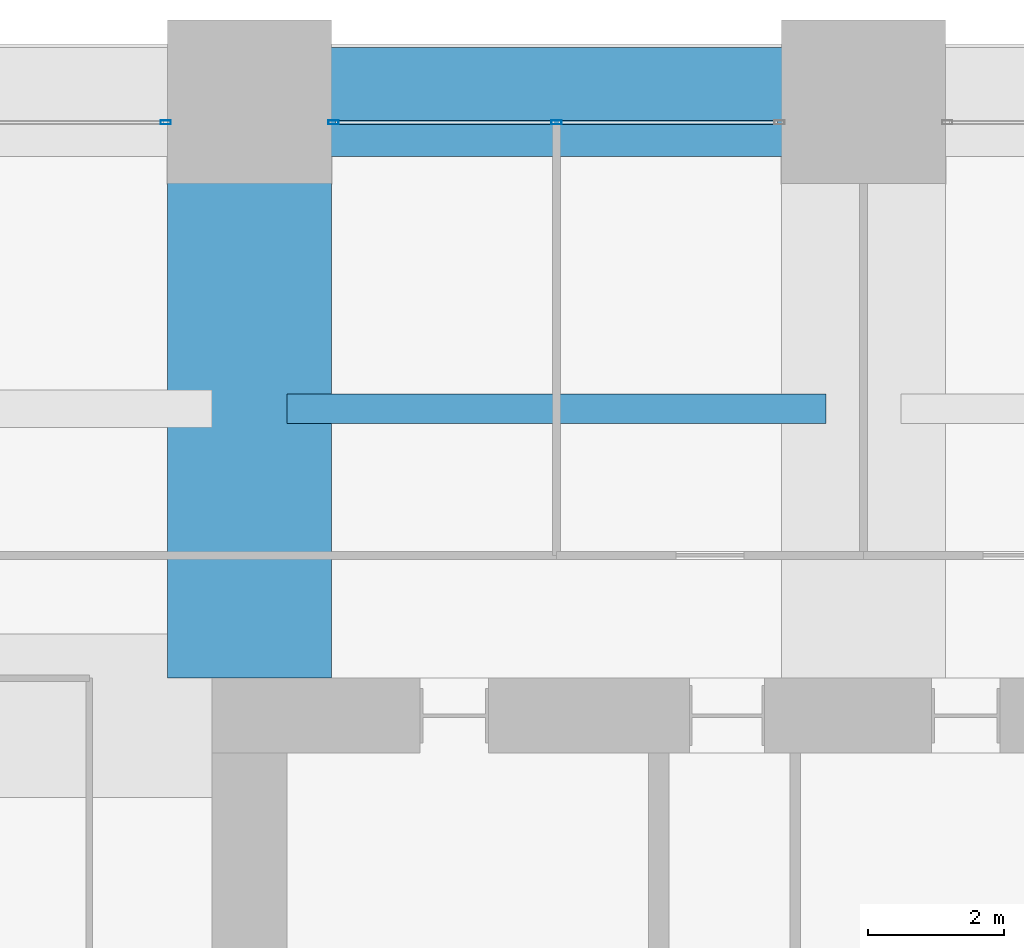
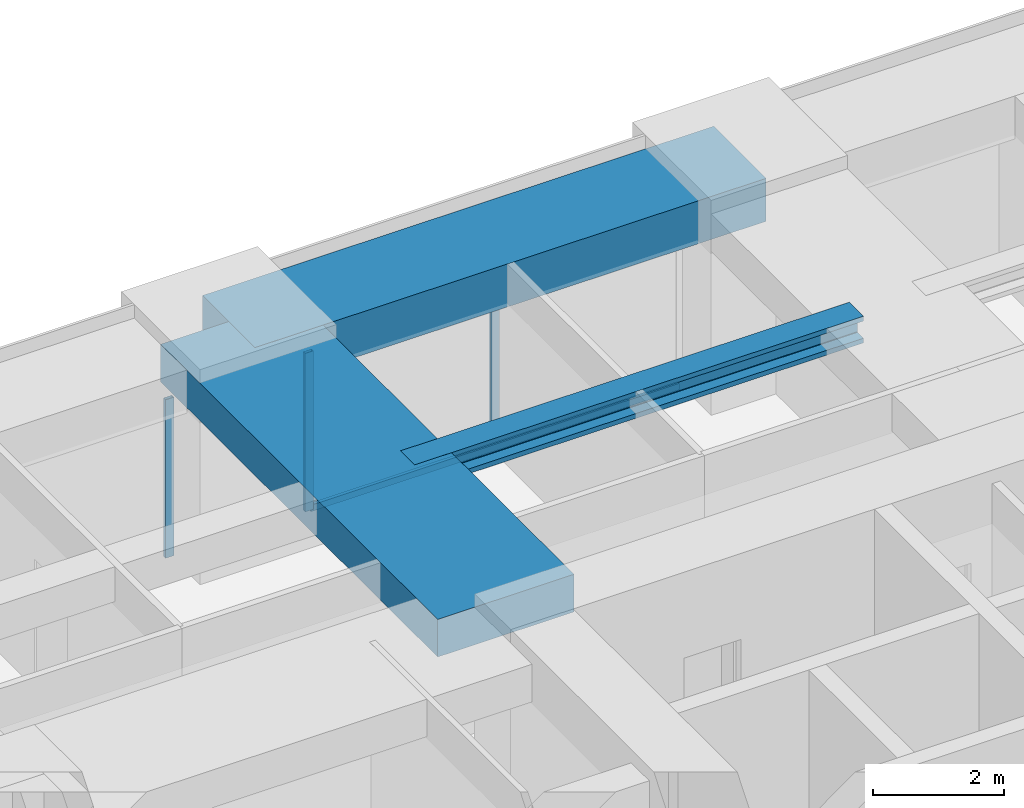
# One storey, part 28 of 42: 4 members, 3 beams, 2 elements without a shape of their own.
"""IFC4 building model written with IfcOpenShell, lengths in metres."""

from ifc_helpers import new_model, si_unit, direction, frame, origin, origin_2d, place, context, subcontext, project, spatial, rectangle, hollow_rectangle, i_section, extrude, material, material_profile, profile_set, type_object, element, aggregate, save


model = new_model("IFC4")

# Units and contexts
model_context = context("Model", 3, precision=1e-05, world=origin(), true_north=direction((0.0, 1.0)))
body_context = subcontext(model_context, "Body", "Model", "MODEL_VIEW")
ifc_project = project(units=[si_unit("LENGTHUNIT", "METRE"), si_unit("AREAUNIT", "SQUARE_METRE"), si_unit("VOLUMEUNIT", "CUBIC_METRE"), si_unit("PLANEANGLEUNIT", "RADIAN"), si_unit("MASSUNIT", "GRAM", prefix="KILO")], contexts=[model_context])

# Site, building, storey
site_placement = place(None, origin())
site = spatial("IfcSite", under=ifc_project, at=site_placement, CompositionType="ELEMENT")
building_placement = place(site_placement, origin())
building = spatial("IfcBuilding", under=site, at=building_placement, Name="Zorevar Civic Tower", CompositionType="ELEMENT")
storey_placement = place(building_placement, frame((0.0, 0.0, 149.0)))
storey = spatial("IfcBuildingStorey", under=building, at=storey_placement, Name="L36", CompositionType="ELEMENT", Elevation=149.0)

# Beam
ifc_material_1 = material(Name="Concrete C50/60", Category="concrete")
ifc_material_profile_1 = material_profile(ifc_material_1, rectangle(XDim=2.39990234375, YDim=0.699951171875, at=origin_2d()), Name="RC 2400x700")
ifc_profile_set_1 = profile_set([ifc_material_profile_1], Name="Concrete C50/60")
beam_type_1 = type_object("IfcBeamType", Name="Beam RC 2400x700", PredefinedType="BEAM", material=ifc_profile_set_1)
beam_1_placement = place(storey_placement, frame((18.0, 36.550048828125, 3.39990234375), z_axis=(0.0, 1.0, 0.0), x_axis=(-1.0, 0.0, 0.0)))
element("IfcBeam", 1, at=beam_1_placement, inside=storey, type_object=beam_type_1, Name="Girder L37", PredefinedType="BEAM", context=body_context, shape_type="SweptSolid", body=[
    extrude(rectangle(XDim=2.39990234375, YDim=0.699951171875, at=origin_2d()), origin(), (0.0, 0.0, 1.0), 8.449951171875),
])

# Curtain wall, member
ifc_material_2 = material(Name="Dark grey solar-control glass in black aluminium frame", Category="aluminium")
curtain_wall_type = type_object("IfcCurtainWallType", Name="Curtain wall CW3 mid zone", PredefinedType="NOTDEFINED", material=ifc_material_2)
curtain_wall_1_placement = place(storey_placement, origin())
curtain_wall_1 = element("IfcCurtainWall", 2, at=curtain_wall_1_placement, inside=storey, type_object=curtain_wall_type, Name="CW3 L36", PredefinedType="NOTDEFINED")
ifc_material_3 = material(Name="Aluminium, black anodised", Category="aluminium")
ifc_material_profile_2 = material_profile(ifc_material_3, hollow_rectangle(XDim=0.06005859375, YDim=0.14990234375, WallThickness=0.00390625, at=origin_2d()), Name="AL 150x60x4")
ifc_profile_set_2 = profile_set([ifc_material_profile_2], Name="Aluminium, black anodised")
member_type_1 = type_object("IfcMemberType", Name="CW3 mullion AL 150x60x4", PredefinedType="MULLION", material=ifc_profile_set_2)
member_1_placement = place(storey_placement, frame((16.77001953125, 44.699951171875, 0.0), z_axis=(0.0, 0.0, 1.0), x_axis=(0.0, 1.0, 0.0)))
member_1 = element("IfcMember", 3, at=member_1_placement, type_object=member_type_1, Name="CW3 mullion 3", PredefinedType="MULLION", context=body_context, shape_type="SweptSolid", body=[
    extrude(hollow_rectangle(XDim=0.06005859375, YDim=0.14990234375, WallThickness=0.00390625, at=origin_2d()), origin(), (0.0, 0.0, 1.0), 2.949951171875),
])
aggregate(curtain_wall_1, [member_1])

# Curtain wall, members
curtain_wall_2_placement = place(storey_placement, origin())
curtain_wall_2 = element("IfcCurtainWall", 4, at=curtain_wall_2_placement, inside=storey, type_object=curtain_wall_type, Name="CW3 L36", PredefinedType="NOTDEFINED")
member_2_placement = place(storey_placement, frame((19.22998046875, 44.699951171875, 0.0), z_axis=(0.0, 0.0, 1.0), x_axis=(0.0, 1.0, 0.0)))
member_2 = element("IfcMember", 5, at=member_2_placement, type_object=member_type_1, Name="CW3 mullion 1", PredefinedType="MULLION", context=body_context, shape_type="SweptSolid", body=[
    extrude(hollow_rectangle(XDim=0.06005859375, YDim=0.14990234375, WallThickness=0.00390625, at=origin_2d()), origin(), (0.0, 0.0, 1.0), 2.949951171875),
])
member_3_placement = place(storey_placement, frame((22.5, 44.699951171875, 0.06005859375), z_axis=(0.0, 0.0, 1.0), x_axis=(0.0, 1.0, 0.0)))
member_3 = element("IfcMember", 6, at=member_3_placement, type_object=member_type_1, Name="CW3 mullion 2", PredefinedType="MULLION", context=body_context, shape_type="SweptSolid", body=[
    extrude(hollow_rectangle(XDim=0.06005859375, YDim=0.14990234375, WallThickness=0.00390625, at=origin_2d()), origin(), (0.0, 0.0, 1.0), 2.889892578125),
])
ifc_material_4 = material(Name="Aluminium, black anodised", Category="aluminium")
ifc_material_profile_3 = material_profile(ifc_material_4, hollow_rectangle(XDim=0.06005859375, YDim=0.1201171875, WallThickness=0.0029296875, at=origin_2d()), Name="AL 120x60x3")
ifc_profile_set_3 = profile_set([ifc_material_profile_3], Name="Aluminium, black anodised")
member_type_2 = type_object("IfcMemberType", Name="CW3 transom AL 120x60x3", PredefinedType="USERDEFINED", material=ifc_profile_set_3)
member_4_placement = place(storey_placement, frame((19.260009765625, 44.699951171875, 0.030029296875), z_axis=(1.0, 0.0, 0.0), x_axis=(0.0, 1.0, 0.0)))
member_4 = element("IfcMember", 7, at=member_4_placement, type_object=member_type_2, Name="CW3 sill transom", ObjectType="TRANSOM", PredefinedType="USERDEFINED", context=body_context, shape_type="SweptSolid", body=[
    extrude(hollow_rectangle(XDim=0.06005859375, YDim=0.1201171875, WallThickness=0.0029296875, at=origin_2d()), origin(), (0.0, 0.0, 1.0), 6.47998046875),
])
aggregate(curtain_wall_2, [member_2, member_3, member_4])

# Beams
ifc_material_5 = material(Name="Steel S460M (HISTAR 460)", Category="steel")
ifc_material_profile_4 = material_profile(ifc_material_5, i_section(OverallWidth=0.431884765625, OverallDepth=0.498046875, WebThickness=0.0556640625, FlangeThickness=0.0888671875, FilletRadius=0.014892578125, at=origin_2d()), Name="HD 400x744")
ifc_profile_set_4 = profile_set([ifc_material_profile_4], Name="Steel S460M (HISTAR 460)")
beam_type_2 = type_object("IfcBeamType", Name="Core bay beam HD 400x744", PredefinedType="BEAM", material=ifc_profile_set_4)
beam_2_placement = place(storey_placement, frame((18.550048828125, 40.5, 3.5009765625), z_axis=(1.0, 0.0, 0.0), x_axis=(0.0, 1.0, 0.0)))
element("IfcBeam", 8, at=beam_2_placement, inside=storey, type_object=beam_type_2, Name="Secondary beam L37", PredefinedType="BEAM", context=body_context, shape_type="SweptSolid", body=[
    extrude(i_section(OverallWidth=0.431884765625, OverallDepth=0.498046875, WebThickness=0.0556640625, FlangeThickness=0.0888671875, FilletRadius=0.014892578125, at=origin_2d()), origin(), (0.0, 0.0, 1.0), 7.89990234375),
])
ifc_material_6 = material(Name="Concrete C50/60", Category="concrete")
ifc_material_profile_5 = material_profile(ifc_material_6, rectangle(XDim=1.60009765625, YDim=0.800048828125, at=origin_2d()), Name="RC 1600x800")
ifc_profile_set_5 = profile_set([ifc_material_profile_5], Name="Concrete C50/60")
beam_type_3 = type_object("IfcBeamType", Name="Edge beam RC 1600x800", PredefinedType="SPANDREL", material=ifc_profile_set_5)
beam_3_placement = place(storey_placement, frame((18.0, 45.0, 3.35009765625), z_axis=(1.0, 0.0, 0.0), x_axis=(0.0, 1.0, 0.0)))
element("IfcBeam", 9, at=beam_3_placement, inside=storey, type_object=beam_type_3, Name="Edge beam L37", PredefinedType="SPANDREL", context=body_context, shape_type="SweptSolid", body=[
    extrude(rectangle(XDim=1.60009765625, YDim=0.800048828125, at=origin_2d()), origin(), (0.0, 0.0, 1.0), 9.0),
])

save(model, "model.ifc")
